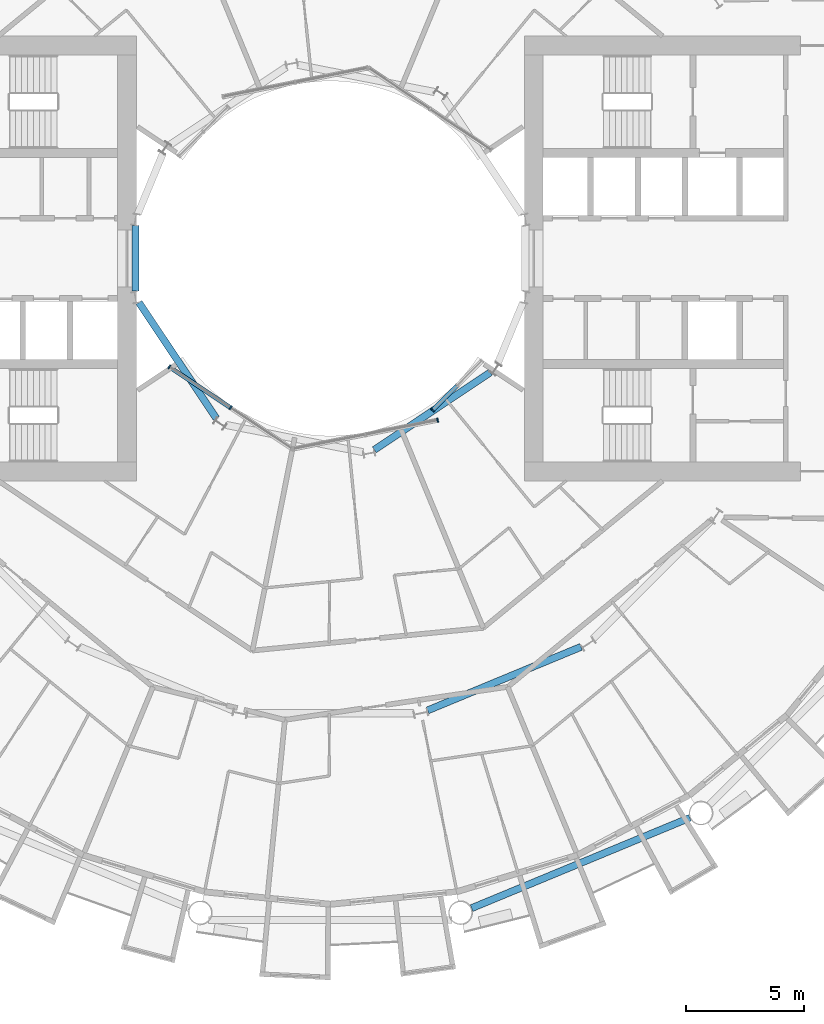
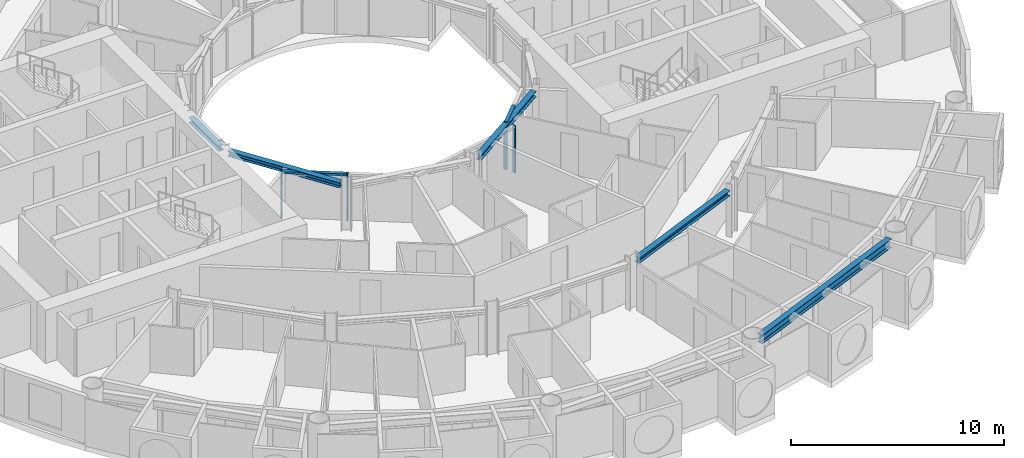
# One storey, part 5 of 26: 6 members, 5 beams, 3 elements without a shape of their own.
"""IFC4 building model written with IfcOpenShell, lengths in metres."""

from ifc_helpers import new_model, si_unit, direction, frame, origin, origin_2d, place, context, subcontext, project, spatial, rectangle, i_section, extrude, material, layer, layer_set, material_profile, profile_set, type_object, element, aggregate, save


model = new_model("IFC4")

# Units and contexts
model_context = context("Model", 3, precision=1e-05, world=origin(), true_north=direction((0.0, 1.0)))
body_context = subcontext(model_context, "Body", "Model", "MODEL_VIEW")
ifc_project = project(units=[si_unit("LENGTHUNIT", "METRE"), si_unit("AREAUNIT", "SQUARE_METRE"), si_unit("VOLUMEUNIT", "CUBIC_METRE"), si_unit("PLANEANGLEUNIT", "RADIAN"), si_unit("MASSUNIT", "GRAM", prefix="KILO")], contexts=[model_context])

# Site, building, storey
site_placement = place(None, origin())
site = spatial("IfcSite", under=ifc_project, at=site_placement, CompositionType="ELEMENT")
building_placement = place(site_placement, origin())
building = spatial("IfcBuilding", under=site, at=building_placement, Name="Maasbend Ring Residences", CompositionType="ELEMENT")
storey_placement = place(building_placement, frame((0.0, 0.0, 38.050048828125)))
storey = spatial("IfcBuildingStorey", under=building, at=storey_placement, Name="L10", CompositionType="ELEMENT", Elevation=38.050048828125)

# Curtain wall, members
ifc_material_1 = material(Name="Aluminium and clear glass", Category="aluminium")
ifc_layer = layer(ifc_material_1, 0.179931640625)
ifc_layer_set = layer_set([ifc_layer], Name="CW-W")
curtain_wall_type = type_object("IfcCurtainWallType", Name="CW-W", PredefinedType="NOTDEFINED", material=ifc_layer_set)
curtain_wall_1_placement = place(storey_placement, origin())
curtain_wall_1 = element("IfcCurtainWall", 1, at=curtain_wall_1_placement, inside=storey, type_object=curtain_wall_type, Name="Well curtain wall S1", PredefinedType="NOTDEFINED")
ifc_material_2 = material(Name="Aluminium 6063-T6", Category="aluminium")
ifc_material_profile_1 = material_profile(ifc_material_2, rectangle(XDim=0.179931640625, YDim=0.06005859375, at=origin_2d()), Name="AL 180x60")
ifc_profile_set_1 = profile_set([ifc_material_profile_1], Name="Aluminium 6063-T6")
member_type_1 = type_object("IfcMemberType", Name="CWM-W", PredefinedType="MULLION", material=ifc_profile_set_1)
member_1_placement = place(storey_placement, frame((-6.805908203125, -4.580810546875, 0.0), z_axis=(0.0, 0.0, 1.0), x_axis=(0.55557023302, 0.831469612303, 0.0)))
member_1 = element("IfcMember", 2, at=member_1_placement, type_object=member_type_1, Name="Mullion well face", PredefinedType="MULLION", context=body_context, shape_type="SweptSolid", body=[
    extrude(rectangle(XDim=0.179931640625, YDim=0.06005859375, at=origin_2d()), origin(), (0.0, 0.0, 1.0), 2.699951171875),
])
member_2_placement = place(storey_placement, frame((-4.216796875, -6.310791015625, 0.0), z_axis=(0.0, 0.0, 1.0), x_axis=(0.55557023302, 0.831469612303, 0.0)))
member_2 = element("IfcMember", 3, at=member_2_placement, type_object=member_type_1, Name="Mullion well face", PredefinedType="MULLION", context=body_context, shape_type="SweptSolid", body=[
    extrude(rectangle(XDim=0.179931640625, YDim=0.06005859375, at=origin_2d()), origin(), (0.0, 0.0, 1.0), 2.699951171875),
])

# Curtain wall, member
curtain_wall_2_placement = place(storey_placement, origin())
curtain_wall_2 = element("IfcCurtainWall", 4, at=curtain_wall_2_placement, inside=storey, type_object=curtain_wall_type, Name="Well curtain wall S2", PredefinedType="NOTDEFINED")
member_3_placement = place(storey_placement, frame((4.53466796875, -6.836669921875, 0.0), z_axis=(0.0, 0.0, 1.0), x_axis=(-0.195090322016, 0.980785280403, 0.0)))
member_3 = element("IfcMember", 5, at=member_3_placement, type_object=member_type_1, Name="Mullion well face", PredefinedType="MULLION", context=body_context, shape_type="SweptSolid", body=[
    extrude(rectangle(XDim=0.179931640625, YDim=0.06005859375, at=origin_2d()), origin(), (0.0, 0.0, 1.0), 2.699951171875),
])
aggregate(curtain_wall_2, [member_3])

curtain_wall_3_placement = place(storey_placement, origin())
curtain_wall_3 = element("IfcCurtainWall", 6, at=curtain_wall_3_placement, inside=storey, type_object=curtain_wall_type, Name="Well curtain wall S3", PredefinedType="NOTDEFINED")
member_4_placement = place(storey_placement, frame((4.320556640625, -6.413330078125, 0.0), z_axis=(0.0, 0.0, 1.0), x_axis=(-0.707106781187, 0.707106781187, 0.0)))
member_4 = element("IfcMember", 7, at=member_4_placement, type_object=member_type_1, Name="Mullion well face", PredefinedType="MULLION", context=body_context, shape_type="SweptSolid", body=[
    extrude(rectangle(XDim=0.179931640625, YDim=0.06005859375, at=origin_2d()), origin(), (0.0, 0.0, 1.0), 2.699951171875),
])

# Member
ifc_material_3 = material(Name="Aluminium 6063-T6", Category="aluminium")
ifc_material_profile_2 = material_profile(ifc_material_3, rectangle(XDim=0.179931640625, YDim=0.1201171875, at=origin_2d()), Name="AL 180x120")
ifc_profile_set_2 = profile_set([ifc_material_profile_2], Name="Aluminium 6063-T6")
member_type_2 = type_object("IfcMemberType", Name="CWT-W", PredefinedType="USERDEFINED", material=ifc_profile_set_2)
member_5_placement = place(storey_placement, frame((-6.781005859375, -4.59765625, 2.639892578125), z_axis=(0.831496422459, -0.555530106689, 0.0), x_axis=(0.555530106689, 0.831496422459, 0.0)))
member_5 = element("IfcMember", 8, at=member_5_placement, type_object=member_type_2, Name="Transom well face", ObjectType="TRANSOM", PredefinedType="USERDEFINED", context=body_context, shape_type="SweptSolid", body=[
    extrude(rectangle(XDim=0.179931640625, YDim=0.1201171875, at=origin_2d()), origin(), (0.0, 0.0, 1.0), 3.053955078125),
])

aggregate(curtain_wall_1, [member_1, member_2, member_5])

member_6_placement = place(storey_placement, frame((4.341796875, -6.39208984375, 2.639892578125), z_axis=(0.707106781187, 0.707106781187, 0.0), x_axis=(-0.707106781187, 0.707106781187, 0.0)))
member_6 = element("IfcMember", 9, at=member_6_placement, type_object=member_type_2, Name="Transom well face", ObjectType="TRANSOM", PredefinedType="USERDEFINED", context=body_context, shape_type="SweptSolid", body=[
    extrude(rectangle(XDim=0.179931640625, YDim=0.1201171875, at=origin_2d()), origin(), (0.0, 0.0, 1.0), 1.419677734375),
])

aggregate(curtain_wall_3, [member_4, member_6])

# Beams
ifc_material_4 = material(Name="Steel S355J2", Category="steel")
ifc_material_profile_3 = material_profile(ifc_material_4, i_section(OverallWidth=0.300048828125, OverallDepth=0.300048828125, WebThickness=0.010986328125, FlangeThickness=0.01904296875, FilletRadius=0.027099609375, at=origin_2d()), Name="HEB 300")
ifc_profile_set_3 = profile_set([ifc_material_profile_3], Name="Steel S355J2")
beam_type_1 = type_object("IfcBeamType", Name="Corridor ring beam HEB 300", PredefinedType="BEAM", material=ifc_profile_set_3)
beam_1_placement = place(storey_placement, frame((4.11572265625, -19.102294921875, 2.550048828125), z_axis=(0.923886196809, 0.38266734293, 0.0), x_axis=(-0.38266734293, 0.923886196809, 0.0)))
element("IfcBeam", 10, at=beam_1_placement, inside=storey, type_object=beam_type_1, Name="Corridor ring beam", PredefinedType="BEAM", context=body_context, shape_type="SweptSolid", body=[
    extrude(i_section(OverallWidth=0.300048828125, OverallDepth=0.300048828125, WebThickness=0.010986328125, FlangeThickness=0.01904296875, FilletRadius=0.027099609375, at=origin_2d()), origin(), (0.0, 0.0, 1.0), 7.015380859375),
])
ifc_material_5 = material(Name="Steel S355J2", Category="steel")
ifc_material_profile_4 = material_profile(ifc_material_5, i_section(OverallWidth=0.300048828125, OverallDepth=0.5, WebThickness=0.014404296875, FlangeThickness=0.028076171875, FilletRadius=0.027099609375, at=origin_2d()), Name="HEB 500")
ifc_profile_set_4 = profile_set([ifc_material_profile_4], Name="Steel S355J2")
beam_type_2 = type_object("IfcBeamType", Name="Spandrel ring beam HEB 500", PredefinedType="SPANDREL", material=ifc_profile_set_4)
beam_2_placement = place(storey_placement, frame((5.970703125, -27.463623046875, 2.449951171875), z_axis=(0.923886337442, 0.382667003395, 0.0), x_axis=(-0.382667003395, 0.923886337442, 0.0)))
element("IfcBeam", 11, at=beam_2_placement, inside=storey, type_object=beam_type_2, Name="Spandrel ring beam", PredefinedType="SPANDREL", context=body_context, shape_type="SweptSolid", body=[
    extrude(i_section(OverallWidth=0.300048828125, OverallDepth=0.5, WebThickness=0.014404296875, FlangeThickness=0.028076171875, FilletRadius=0.027099609375, at=origin_2d()), origin(), (0.0, 0.0, 1.0), 9.9873046875),
])
ifc_material_6 = material(Name="Steel S355J2", Category="steel")
ifc_material_profile_5 = material_profile(ifc_material_6, i_section(OverallWidth=0.300048828125, OverallDepth=0.300048828125, WebThickness=0.010986328125, FlangeThickness=0.01904296875, FilletRadius=0.027099609375, at=origin_2d()), Name="HEB 300")
ifc_profile_set_5 = profile_set([ifc_material_profile_5], Name="Steel S355J2")
beam_type_3 = type_object("IfcBeamType", Name="Well edge beam HEB 300", PredefinedType="BEAM", material=ifc_profile_set_5)
beam_3_placement = place(storey_placement, frame((-8.238525390625, 1.3837890625, 2.550048828125), z_axis=(0.0, -1.0, 0.0), x_axis=(1.0, 0.0, 0.0)))
element("IfcBeam", 12, at=beam_3_placement, inside=storey, type_object=beam_type_3, Name="Well edge beam", PredefinedType="BEAM", context=body_context, shape_type="SweptSolid", body=[
    extrude(i_section(OverallWidth=0.300048828125, OverallDepth=0.300048828125, WebThickness=0.010986328125, FlangeThickness=0.01904296875, FilletRadius=0.027099609375, at=origin_2d()), origin(), (0.0, 0.0, 1.0), 2.767578125),
])
for number, where, z_axis, x_axis, name in (
    (13, (-8.08837890625, -1.86376953125, 2.550048828125), (0.555589782054, -0.831456549723, 0.0), (0.831456549723, 0.555589782054, 0.0), "Well edge beam"),
    (14, (1.86376953125, -8.08837890625, 2.550048828125), (0.831456549723, 0.555589782054, 0.0), (-0.555589782054, 0.831456549723, 0.0), "Well edge beam"),
):
    element("IfcBeam", number, at=place(storey_placement, frame(where, z_axis=z_axis, x_axis=x_axis)), inside=storey, type_object=beam_type_3, Name=name, PredefinedType="BEAM", context=body_context, shape_type="SweptSolid", body=[
        extrude(i_section(OverallWidth=0.300048828125, OverallDepth=0.300048828125, WebThickness=0.010986328125, FlangeThickness=0.01904296875, FilletRadius=0.027099609375, at=origin_2d()), origin(), (0.0, 0.0, 1.0), 5.887939453125),
    ])

save(model, "model.ifc")
